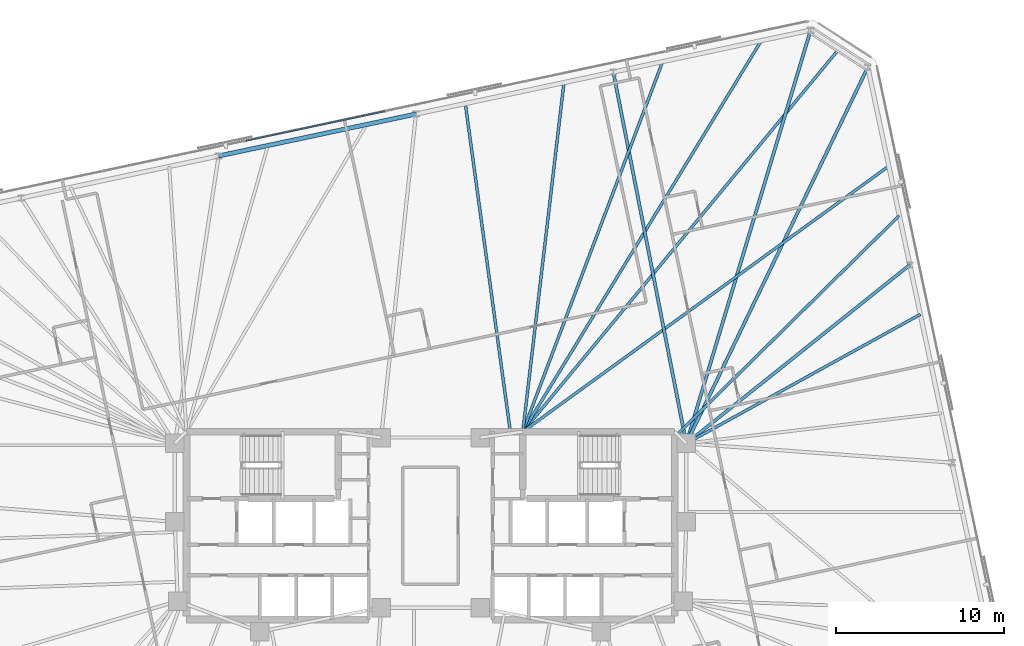
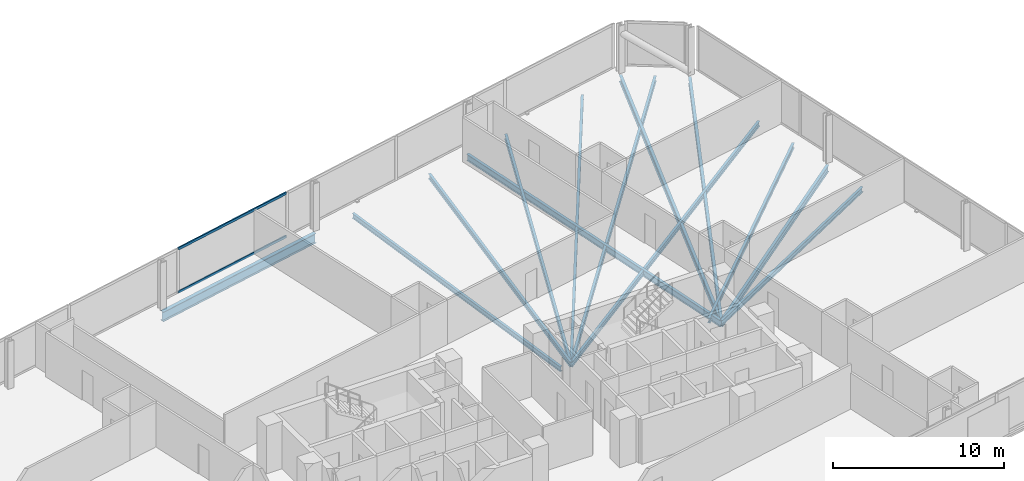
# One storey, part 10 of 19: 13 beams, 2 members, 1 element without a shape of its own.
"""IFC4 building model written with IfcOpenShell, lengths in metres."""

from ifc_helpers import new_model, si_unit, direction, frame, origin, origin_2d, place, context, subcontext, project, spatial, rectangle, i_section, extrude, material, material_profile, profile_set, type_object, element, aggregate, save


model = new_model("IFC4")

# Units and contexts
model_context = context("Model", 3, precision=1e-05, world=origin(), true_north=direction((0.0, 1.0)))
body_context = subcontext(model_context, "Body", "Model", "MODEL_VIEW")
ifc_project = project(units=[si_unit("LENGTHUNIT", "METRE"), si_unit("AREAUNIT", "SQUARE_METRE"), si_unit("VOLUMEUNIT", "CUBIC_METRE"), si_unit("PLANEANGLEUNIT", "RADIAN"), si_unit("MASSUNIT", "GRAM", prefix="KILO")], contexts=[model_context])

# Site, building, storey
site_placement = place(None, origin())
site = spatial("IfcSite", under=ifc_project, at=site_placement, CompositionType="ELEMENT")
building_placement = place(site_placement, origin())
building = spatial("IfcBuilding", under=site, at=building_placement, Name="Menara Jurai Vektor", CompositionType="ELEMENT")
storey_placement = place(building_placement, frame((0.0, 0.0, 192.199951171875)))
storey = spatial("IfcBuildingStorey", under=building, at=storey_placement, Name="L50", CompositionType="ELEMENT", Elevation=192.199951171875)

# Curtain wall, members
ifc_material_1 = material(Name="Anodised Pale Aluminium & Low-E Double Glazing", Category="aluminium")
curtain_wall_type = type_object("IfcCurtainWallType", Name="CW-BLK3", PredefinedType="NOTDEFINED", material=ifc_material_1)
curtain_wall_placement = place(storey_placement, origin())
curtain_wall = element("IfcCurtainWall", 1, at=curtain_wall_placement, inside=storey, type_object=curtain_wall_type, Name="Unitised Curtain Wall L50 F05", PredefinedType="NOTDEFINED")
ifc_material_2 = material(Name="Anodised Pale Aluminium Transom", Category="aluminium")
ifc_material_profile_1 = material_profile(ifc_material_2, rectangle(XDim=0.0849609375, YDim=0.175048828125, at=origin_2d()), Name="ALU TRN 85x175")
ifc_profile_set_1 = profile_set([ifc_material_profile_1], Name="Anodised Pale Aluminium Transom")
member_type = type_object("IfcMemberType", Name="CW-BLK3-TRN", PredefinedType="USERDEFINED", material=ifc_profile_set_1)
member_1_placement = place(storey_placement, frame((-2.716796875, 24.712890625, 0.04248046875), z_axis=(-0.978153589924, -0.207883511896, 0.0), x_axis=(0.207883511896, -0.978153589924, 0.0)))
member_1 = element("IfcMember", 2, at=member_1_placement, type_object=member_type, Name="CW-03 transom 4.1", ObjectType="TRANSOM", PredefinedType="USERDEFINED", context=body_context, shape_type="SweptSolid", body=[
    extrude(rectangle(XDim=0.0849609375, YDim=0.175048828125, at=origin_2d()), origin(), (0.0, 0.0, 1.0), 8.4921875),
])
member_2_placement = place(storey_placement, frame((-2.716796875, 24.712890625, 3.132568359375), z_axis=(-0.978153589924, -0.207883511896, 0.0), x_axis=(0.207883511896, -0.978153589924, 0.0)))
member_2 = element("IfcMember", 3, at=member_2_placement, type_object=member_type, Name="CW-03 transom 4.2", ObjectType="TRANSOM", PredefinedType="USERDEFINED", context=body_context, shape_type="SweptSolid", body=[
    extrude(rectangle(XDim=0.0849609375, YDim=0.175048828125, at=origin_2d()), origin(), (0.0, 0.0, 1.0), 8.4921875),
])
aggregate(curtain_wall, [member_1, member_2])

# Beams
ifc_material_3 = material(Name="Steel S355", Category="steel")
ifc_material_profile_2 = material_profile(ifc_material_3, i_section(OverallWidth=0.19091796875, OverallDepth=0.4599609375, WebThickness=0.010009765625, FlangeThickness=0.01611328125, FilletRadius=0.010009765625, at=origin_2d()), Name="UKB 457x191x82")
ifc_profile_set_2 = profile_set([ifc_material_profile_2], Name="Steel S355")
beam_type_1 = type_object("IfcBeamType", Name="STR-BM-457", PredefinedType="BEAM", material=ifc_profile_set_2)
beam_1_placement = place(storey_placement, frame((28.5771484375, 15.544921875, -0.454833984375), z_axis=(-0.781346163898, -0.624097886683, 0.0), x_axis=(0.624097886683, -0.781346163898, 0.0)))
element("IfcBeam", 4, at=beam_1_placement, inside=storey, type_object=beam_type_1, Name="Radial Floor Girder L50-E3", PredefinedType="BEAM", context=body_context, shape_type="SweptSolid", body=[
    extrude(i_section(OverallWidth=0.19091796875, OverallDepth=0.4599609375, WebThickness=0.010009765625, FlangeThickness=0.01611328125, FilletRadius=0.010009765625, at=origin_2d()), origin(), (0.0, 0.0, 1.0), 17.056640625),
])
beam_2_placement = place(storey_placement, frame((26.0712890625, 27.33349609375, -0.454833984375), z_axis=(-0.434465059539, -0.900688687639, 0.0), x_axis=(0.900688687639, -0.434465059539, 0.0)))
element("IfcBeam", 5, at=beam_2_placement, inside=storey, type_object=beam_type_1, Name="Radial Floor Girder L50-E4", PredefinedType="BEAM", context=body_context, shape_type="SweptSolid", body=[
    extrude(i_section(OverallWidth=0.19091796875, OverallDepth=0.4599609375, WebThickness=0.010009765625, FlangeThickness=0.01611328125, FilletRadius=0.010009765625, at=origin_2d()), origin(), (0.0, 0.0, 1.0), 24.9072265625),
])
beam_3_placement = place(storey_placement, frame((22.664794921875, 29.545654296875, -0.454833984375), z_axis=(-0.288098843548, -0.957600676872, 0.0), x_axis=(0.957600676872, -0.288098843548, 0.0)))
element("IfcBeam", 6, at=beam_3_placement, inside=storey, type_object=beam_type_1, Name="Radial Floor Girder L50-N1", PredefinedType="BEAM", context=body_context, shape_type="SweptSolid", body=[
    extrude(i_section(OverallWidth=0.19091796875, OverallDepth=0.4599609375, WebThickness=0.010009765625, FlangeThickness=0.01611328125, FilletRadius=0.010009765625, at=origin_2d()), origin(), (0.0, 0.0, 1.0), 25.737060546875),
])
beam_4_placement = place(storey_placement, frame((10.896484375, 27.044189453125, -0.454833984375), z_axis=(0.192905075816, -0.981217423268, 0.0), x_axis=(0.981217423268, 0.192905075816, 0.0)))
element("IfcBeam", 7, at=beam_4_placement, inside=storey, type_object=beam_type_1, Name="Radial Floor Girder L50-N2", PredefinedType="BEAM", context=body_context, shape_type="SweptSolid", body=[
    extrude(i_section(OverallWidth=0.19091796875, OverallDepth=0.4599609375, WebThickness=0.010009765625, FlangeThickness=0.01611328125, FilletRadius=0.010009765625, at=origin_2d()), origin(), (0.0, 0.0, 1.0), 22.568115234375),
])
ifc_material_profile_3 = material_profile(ifc_material_3, i_section(OverallWidth=0.172119140625, OverallDepth=0.35498046875, WebThickness=0.007080078125, FlangeThickness=0.011962890625, FilletRadius=0.010009765625, at=origin_2d()), Name="UKB 356x171x51")
ifc_profile_set_3 = profile_set([ifc_material_profile_3], Name="Steel S355")
beam_type_2 = type_object("IfcBeamType", Name="STR-JS-356", PredefinedType="JOIST", material=ifc_profile_set_3)
beam_5_placement = place(storey_placement, frame((29.20361328125, 12.597900390625, -0.40234375), z_axis=(-0.875592207488, -0.483051018202, 0.0), x_axis=(0.483051018202, -0.875592207488, 0.0)))
element("IfcBeam", 8, at=beam_5_placement, inside=storey, type_object=beam_type_2, Name="Radial Secondary Floor Joist L50-JS14", PredefinedType="JOIST", context=body_context, shape_type="SweptSolid", body=[
    extrude(i_section(OverallWidth=0.172119140625, OverallDepth=0.35498046875, WebThickness=0.007080078125, FlangeThickness=0.011962890625, FilletRadius=0.010009765625, at=origin_2d()), origin(), (0.0, 0.0, 1.0), 15.936279296875),
])
beam_6_placement = place(storey_placement, frame((27.95068359375, 18.4921875, -0.40234375), z_axis=(-0.712171791789, -0.702005227174, 0.0), x_axis=(0.702005227174, -0.712171791789, 0.0)))
element("IfcBeam", 9, at=beam_6_placement, inside=storey, type_object=beam_type_2, Name="Radial Secondary Floor Joist L50-JS15", PredefinedType="JOIST", context=body_context, shape_type="SweptSolid", body=[
    extrude(i_section(OverallWidth=0.172119140625, OverallDepth=0.35498046875, WebThickness=0.007080078125, FlangeThickness=0.011962890625, FilletRadius=0.010009765625, at=origin_2d()), origin(), (0.0, 0.0, 1.0), 18.5869140625),
])
beam_7_placement = place(storey_placement, frame((27.32421875, 21.439208984375, -0.40234375), z_axis=(-0.809318640486, -0.587369847848, 0.0), x_axis=(0.587369847848, -0.809318640486, 0.0)))
element("IfcBeam", 10, at=beam_7_placement, inside=storey, type_object=beam_type_2, Name="Radial Secondary Floor Joist L50-JS16", PredefinedType="JOIST", context=body_context, shape_type="SweptSolid", body=[
    extrude(i_section(OverallWidth=0.172119140625, OverallDepth=0.35498046875, WebThickness=0.007080078125, FlangeThickness=0.011962890625, FilletRadius=0.010009765625, at=origin_2d()), origin(), (0.0, 0.0, 1.0), 26.966064453125),
])
beam_8_placement = place(storey_placement, frame((24.3681640625, 28.439697265625, -0.40234375), z_axis=(-0.636894863934, -0.770950667873, 0.0), x_axis=(0.770950667873, -0.636894863934, 0.0)))
element("IfcBeam", 11, at=beam_8_placement, inside=storey, type_object=beam_type_2, Name="Radial Secondary Floor Joist L50-JS17", PredefinedType="JOIST", context=body_context, shape_type="SweptSolid", body=[
    extrude(i_section(OverallWidth=0.172119140625, OverallDepth=0.35498046875, WebThickness=0.007080078125, FlangeThickness=0.011962890625, FilletRadius=0.010009765625, at=origin_2d()), origin(), (0.0, 0.0, 1.0), 29.625244140625),
])
beam_9_placement = place(storey_placement, frame((19.72265625, 28.92041015625, -0.40234375), z_axis=(-0.520686242997, -0.8537481106, 0.0), x_axis=(0.8537481106, -0.520686242997, 0.0)))
element("IfcBeam", 12, at=beam_9_placement, inside=storey, type_object=beam_type_2, Name="Radial Secondary Floor Joist L50-JS18", PredefinedType="JOIST", context=body_context, shape_type="SweptSolid", body=[
    extrude(i_section(OverallWidth=0.172119140625, OverallDepth=0.35498046875, WebThickness=0.007080078125, FlangeThickness=0.011962890625, FilletRadius=0.010009765625, at=origin_2d()), origin(), (0.0, 0.0, 1.0), 27.315185546875),
])
beam_10_placement = place(storey_placement, frame((13.838623046875, 27.669677734375, -0.40234375), z_axis=(-0.353446048928, -0.935454910991, 0.0), x_axis=(0.935454910991, -0.353446048928, 0.0)))
element("IfcBeam", 13, at=beam_10_placement, inside=storey, type_object=beam_type_2, Name="Radial Secondary Floor Joist L50-JS19", PredefinedType="JOIST", context=body_context, shape_type="SweptSolid", body=[
    extrude(i_section(OverallWidth=0.172119140625, OverallDepth=0.35498046875, WebThickness=0.007080078125, FlangeThickness=0.011962890625, FilletRadius=0.010009765625, at=origin_2d()), origin(), (0.0, 0.0, 1.0), 23.59228515625),
])
beam_11_placement = place(storey_placement, frame((7.95458984375, 26.4189453125, -0.40234375), z_axis=(-0.117091260338, -0.99312115915, 0.0), x_axis=(0.99312115915, -0.117091260338, 0.0)))
element("IfcBeam", 14, at=beam_11_placement, inside=storey, type_object=beam_type_2, Name="Radial Secondary Floor Joist L50-JS20", PredefinedType="JOIST", context=body_context, shape_type="SweptSolid", body=[
    extrude(i_section(OverallWidth=0.172119140625, OverallDepth=0.35498046875, WebThickness=0.007080078125, FlangeThickness=0.011962890625, FilletRadius=0.010009765625, at=origin_2d()), origin(), (0.0, 0.0, 1.0), 20.963134765625),
])
beam_12_placement = place(storey_placement, frame((2.0703125, 25.168212890625, -0.40234375), z_axis=(0.135985700778, -0.990710799973, 0.0), x_axis=(0.990710799973, 0.135985700778, 0.0)))
element("IfcBeam", 15, at=beam_12_placement, inside=storey, type_object=beam_type_2, Name="Radial Secondary Floor Joist L50-JS21", PredefinedType="JOIST", context=body_context, shape_type="SweptSolid", body=[
    extrude(i_section(OverallWidth=0.172119140625, OverallDepth=0.35498046875, WebThickness=0.007080078125, FlangeThickness=0.011962890625, FilletRadius=0.010009765625, at=origin_2d()), origin(), (0.0, 0.0, 1.0), 19.852783203125),
])
ifc_material_4 = material(Name="Steel S460", Category="steel")
ifc_material_profile_4 = material_profile(ifc_material_4, i_section(OverallWidth=0.256103515625, OverallDepth=0.693115234375, WebThickness=0.013916015625, FlangeThickness=0.02392578125, FilletRadius=0.014892578125, at=origin_2d()), Name="UKB 686x254x170")
ifc_profile_set_4 = profile_set([ifc_material_profile_4], Name="Steel S460")
beam_type_3 = type_object("IfcBeamType", Name="STR-SP-686", PredefinedType="SPANDREL", material=ifc_profile_set_4)
beam_13_placement = place(storey_placement, frame((-0.87158203125, 24.54296875, -0.571533203125), z_axis=(-0.978147039247, -0.207914332389, 0.0), x_axis=(0.207914332389, -0.978147039247, 0.0)))
element("IfcBeam", 16, at=beam_13_placement, inside=storey, type_object=beam_type_3, Name="Exoskeleton Spandrel Beam L50-13", PredefinedType="SPANDREL", context=body_context, shape_type="SweptSolid", body=[
    extrude(i_section(OverallWidth=0.256103515625, OverallDepth=0.693115234375, WebThickness=0.013916015625, FlangeThickness=0.02392578125, FilletRadius=0.014892578125, at=origin_2d()), origin(), (0.0, 0.0, 1.0), 12.03125),
])

save(model, "model.ifc")
